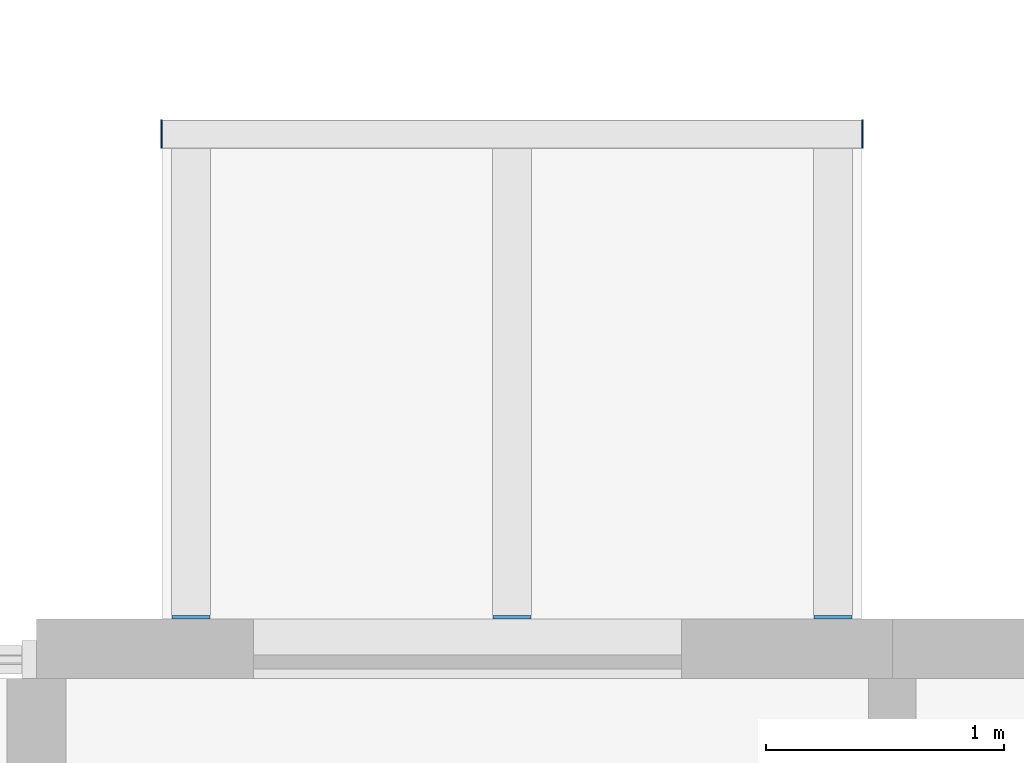
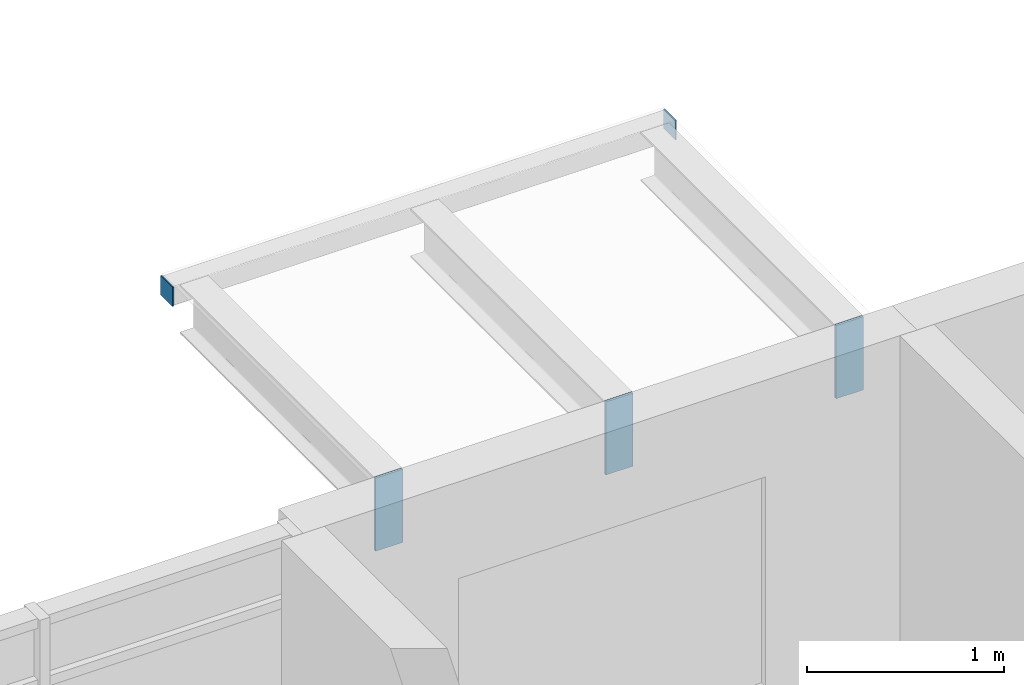
# One storey, part 46 of 64: 5 discrete accessories.
"""IFC4 building model written with IfcOpenShell, lengths in metres."""

import ifcopenshell
import ifcopenshell.guid

model = None  # the IFC model being written
_history = None  # IfcOwnerHistory: only IFC2X3 demands one
_inside = {}  # id of a spatial element -> (the spatial element, [elements in it])
_under = {}  # id of a project, library or spatial element -> (it, [spatial elements below it])
_declared = {}  # id of a project -> (the project, [libraries it declares])
_typed = {}  # id of a type object -> (the type object, [elements of that type])
_made_of = {}  # id of a material, layer set ... -> (it, [elements and type objects made of it])


def new_model(schema):
    """Start an empty IFC model of exactly this schema.

    Asked for "IFC4X3", IfcOpenShell would pick the latest addendum, in which some entities
    have other attributes; the version numbers below select the first issue.
    IFC2X3 requires an IfcOwnerHistory on every rooted entity: one is made here for all.
    """
    global model, _history
    if schema == "IFC4X3":
        model = ifcopenshell.file(schema_version=(4, 3, 0, 0))
    else:
        model = ifcopenshell.file(schema=schema)
    _inside.clear()
    _under.clear()
    _declared.clear()
    _typed.clear()
    _made_of.clear()
    _history = None
    if model.schema == "IFC2X3":
        org = make("IfcOrganization", Name="unknown")
        user = make(
            "IfcPersonAndOrganization",
            ThePerson=make("IfcPerson", FamilyName="unknown"),
            TheOrganization=org,
        )
        app = make(
            "IfcApplication",
            ApplicationDeveloper=org,
            Version="unknown",
            ApplicationFullName="unknown",
            ApplicationIdentifier="unknown",
        )
        _history = make(
            "IfcOwnerHistory",
            OwningUser=user,
            OwningApplication=app,
            ChangeAction="ADDED",
            CreationDate=0,
        )
    return model


def make(cls, **values):
    """One entity of the class cls with the attributes given. An attribute that is None is left unset."""
    return model.create_entity(
        cls, **{name: value for name, value in values.items() if value is not None}
    )


def rooted(cls, **values):
    """An entity with a GlobalId (a new one), such as an element, a storey or a relation."""
    return make(cls, GlobalId=ifcopenshell.guid.new(), OwnerHistory=_history, **values)


def si_unit(unit_type, name, prefix=None):
    """IfcSIUnit, for example si_unit("LENGTHUNIT", "METRE", prefix="MILLI")."""
    return make("IfcSIUnit", UnitType=unit_type, Prefix=prefix, Name=name)


def assignment(units):
    """IfcUnitAssignment: the units of a project."""
    return None if units is None else make("IfcUnitAssignment", Units=units)


def point(xyz):
    """IfcCartesianPoint."""
    return None if xyz is None else make("IfcCartesianPoint", Coordinates=xyz)


def direction(xyz):
    """IfcDirection."""
    return None if xyz is None else make("IfcDirection", DirectionRatios=xyz)


def frame(location, z_axis=None, x_axis=None):
    """IfcAxis2Placement3D, a coordinate frame: its origin and axes. An axis left out is left unset."""
    return make(
        "IfcAxis2Placement3D",
        Location=point(location),
        Axis=direction(z_axis),
        RefDirection=direction(x_axis),
    )


def frame_2d(location, x_axis=None):
    """IfcAxis2Placement2D, a coordinate frame in the plane: its origin and x axis."""
    return make(
        "IfcAxis2Placement2D", Location=point(location), RefDirection=direction(x_axis)
    )


def origin():
    """The frame at (0, 0, 0) with its axes left unset."""
    return frame((0.0, 0.0, 0.0))


def origin_2d():
    """The frame at (0, 0) in the plane with its x axis left unset."""
    return frame_2d((0.0, 0.0))


def place(relative_to, where):
    """IfcLocalPlacement: puts the frame where relative to a parent placement (None: the world)."""
    return make(
        "IfcLocalPlacement", PlacementRelTo=relative_to, RelativePlacement=where
    )


def context(
    kind, dimensions, precision=None, world=None, true_north=None, identifier=None
):
    """IfcGeometricRepresentationContext, for example the 3D "Model" context."""
    return make(
        "IfcGeometricRepresentationContext",
        ContextIdentifier=identifier,
        ContextType=kind,
        CoordinateSpaceDimension=dimensions,
        Precision=precision,
        WorldCoordinateSystem=world,
        TrueNorth=true_north,
    )


def subcontext(parent, identifier, kind, view, scale=None):
    """IfcGeometricRepresentationSubContext, for example "Body" below "Model"."""
    return make(
        "IfcGeometricRepresentationSubContext",
        ContextIdentifier=identifier,
        ContextType=kind,
        ParentContext=parent,
        TargetScale=scale,
        TargetView=view,
    )


def project(units=None, contexts=None):
    """IfcProject with its units and contexts."""
    return rooted(
        "IfcProject",
        Name="project",
        RepresentationContexts=contexts,
        UnitsInContext=assignment(units),
    )


def spatial(cls, under=None, at=None, **own):
    """A site, building, storey or space (cls), placed at a placement, below another one or the project."""
    s = rooted(cls, ObjectPlacement=at, **own)
    if under is not None:
        _under.setdefault(under.id(), (under, []))[1].append(s)
    return s


def profile(cls, at=None, kind="AREA", **sizes):
    """A parametric profile (cls). Its sizes go by their IFC names, for example OverallWidth=200.0."""
    return make(cls, ProfileType=kind, Position=at, **sizes)


def rectangle(**sizes):
    """IfcRectangleProfileDef."""
    return profile("IfcRectangleProfileDef", **sizes)


def extrude(swept, where, along, depth):
    """IfcExtrudedAreaSolid: the profile swept, set in the frame where, extruded along a direction by depth."""
    return make(
        "IfcExtrudedAreaSolid",
        SweptArea=swept,
        Position=where,
        ExtrudedDirection=direction(along),
        Depth=depth,
    )


def shape(context_of_items, identifier, shape_type, items):
    """IfcShapeRepresentation: the items that make up one representation, for example the "Body"."""
    return make(
        "IfcShapeRepresentation",
        ContextOfItems=context_of_items,
        RepresentationIdentifier=identifier,
        RepresentationType=shape_type,
        Items=items,
    )


def material(Name=None, Category=None):
    """IfcMaterial."""
    return make("IfcMaterial", Name=Name, Category=Category)


def layer(
    of_material, thickness, ventilated=None, Name=None, Category=None, Priority=None
):
    """IfcMaterialLayer: one layer of a wall or slab, of a material (None: an air gap)."""
    return make(
        "IfcMaterialLayer",
        Material=of_material,
        LayerThickness=thickness,
        IsVentilated=ventilated,
        Name=Name,
        Category=Category,
        Priority=Priority,
    )


def layer_set(layers, Name=None):
    """IfcMaterialLayerSet."""
    return make("IfcMaterialLayerSet", MaterialLayers=layers, LayerSetName=Name)


def made_of(thing, what):
    """Note that an element or type object is made of a material, layer set ...; save() writes the relation."""
    if what is not None:
        _made_of.setdefault(what.id(), (what, []))[1].append(thing)
    return thing


def type_object(cls, material=None, **own):
    """A type object (cls), such as IfcWallType, which elements share."""
    return made_of(rooted(cls, **own), material)


def element(
    cls,
    number,
    at=None,
    inside=None,
    cuts=None,
    type_object=None,
    material=None,
    context=None,
    identifier="Body",
    shape_type=None,
    held_by="IfcProductDefinitionShape",
    body=None,
    shapes=None,
    **own,
):
    """One element of the class cls, such as IfcWall. Its Tag is "e" and its number.

    at: its placement. inside: the storey or other place that contains it. cuts: it is an
    opening in that element (IfcRelVoidsElement). A single representation is given by context,
    identifier, shape_type and body (its items); several are given by shapes. held_by: the class
    of the entity that holds the representations. save() writes the other relations.
    """
    e = rooted(cls, Tag="e%d" % number, ObjectPlacement=at, **own)
    if body is not None:
        shapes = [shape(context, identifier, shape_type, body)]
    if shapes is not None:
        e.Representation = make(held_by, Representations=shapes)
    if inside is not None:
        _inside.setdefault(inside.id(), (inside, []))[1].append(e)
    if cuts is not None:
        rooted(
            "IfcRelVoidsElement", RelatingBuildingElement=cuts, RelatedOpeningElement=e
        )
    if type_object is not None:
        _typed.setdefault(type_object.id(), (type_object, []))[1].append(e)
    return made_of(e, material)


def aggregate(whole, parts):
    """IfcRelAggregates: a whole, such as a stair, and the parts it consists of."""
    return rooted("IfcRelAggregates", RelatingObject=whole, RelatedObjects=parts)


def save(model, path):
    """Write the relations noted so far, then the file.

    IfcRelAggregates (storeys below a building ...), IfcRelContainedInSpatialStructure (elements
    in a storey), IfcRelDefinesByType, IfcRelAssociatesMaterial and IfcRelDeclares: one each for
    every whole, place, type object, material and project.
    """
    for whole, parts in _under.values():
        aggregate(whole, parts)
    for where, things in _inside.values():
        rooted(
            "IfcRelContainedInSpatialStructure",
            RelatedElements=things,
            RelatingStructure=where,
        )
    for kind, things in _typed.values():
        rooted("IfcRelDefinesByType", RelatedObjects=things, RelatingType=kind)
    for what, things in _made_of.values():
        rooted("IfcRelAssociatesMaterial", RelatedObjects=things, RelatingMaterial=what)
    for by, libraries in _declared.values():
        rooted("IfcRelDeclares", RelatingContext=by, RelatedDefinitions=libraries)
    model.write(path)


model = new_model("IFC4")

# Units and contexts
model_context = context("Model", 3, precision=1e-05, world=origin(), true_north=direction((0.0, 1.0)))
body_context = subcontext(model_context, "Body", "Model", "MODEL_VIEW")
ifc_project = project(units=[si_unit("LENGTHUNIT", "METRE"), si_unit("AREAUNIT", "SQUARE_METRE"), si_unit("VOLUMEUNIT", "CUBIC_METRE"), si_unit("PLANEANGLEUNIT", "RADIAN"), si_unit("MASSUNIT", "GRAM", prefix="KILO")], contexts=[model_context])

# Site, building, storey
site_placement = place(None, origin())
site = spatial("IfcSite", under=ifc_project, at=site_placement, CompositionType="ELEMENT")
building_placement = place(site_placement, origin())
building = spatial("IfcBuilding", under=site, at=building_placement, Name="Ridgestep Commons", CompositionType="ELEMENT")
storey_placement = place(building_placement, frame((0.0, 0.0, 33.0)))
storey = spatial("IfcBuildingStorey", under=building, at=storey_placement, Name="L11", CompositionType="ELEMENT", Elevation=33.0)

# Discrete accessories
ifc_material_1 = material(Name="Weathering steel S355J2W", Category="steel")
ifc_layer_1 = layer(ifc_material_1, 0.014892578125)
ifc_layer_set_1 = layer_set([ifc_layer_1], Name="Tray bracket plate 15")
discrete_accessory_type_1 = type_object("IfcDiscreteAccessoryType", Name="Tray bracket plate 15", PredefinedType="BRACKET", material=ifc_layer_set_1)
for number, where, z_axis, x_axis, name in (
    (1, (220.64990234375, 23.007568359375, 2.53662109375), (0.0, 0.0, 1.0), (1.0, 0.0, 0.0), "Tray bracket D5T3-12.1"),
    (2, (222.0, 23.007568359375, 2.53662109375), (0.0, 0.0, 1.0), (1.0, 0.0, 0.0), "Tray bracket D5T3-12.2"),
    (3, (223.35009765625, 23.007568359375, 2.53662109375), (0.0, 0.0, 1.0), (1.0, 0.0, 0.0), "Tray bracket D5T3-12.3"),
):
    element("IfcDiscreteAccessory", number, at=place(storey_placement, frame(where, z_axis=z_axis, x_axis=x_axis)), inside=storey, type_object=discrete_accessory_type_1, Name=name, PredefinedType="BRACKET", context=body_context, shape_type="SweptSolid", body=[
        extrude(rectangle(XDim=0.159912109375, YDim=0.014892578125, at=origin_2d()), origin(), (0.0, 0.0, 1.0), 0.453369140625),
    ])
ifc_material_2 = material(Name="Weathering steel S355J2W", Category="steel")
ifc_layer_2 = layer(ifc_material_2, 0.008056640625)
ifc_layer_set_2 = layer_set([ifc_layer_2], Name="Tray edge member end plate 120 x 120 x 8")
discrete_accessory_type_2 = type_object("IfcDiscreteAccessoryType", Name="Tray edge member end plate 120 x 120 x 8", PredefinedType="BRACKET", material=ifc_layer_set_2)
for number, where, z_axis, x_axis, name in (
    (4, (220.52587890625, 25.0400390625, 2.869873046875), (0.0, 0.0, 1.0), (1.0, 0.0, 0.0), "Tray edge member end plate D5T3-12 west"),
    (5, (223.47412109375, 25.0400390625, 2.869873046875), (0.0, 0.0, 1.0), (1.0, 0.0, 0.0), "Tray edge member end plate D5T3-12 east"),
):
    element("IfcDiscreteAccessory", number, at=place(storey_placement, frame(where, z_axis=z_axis, x_axis=x_axis)), inside=storey, type_object=discrete_accessory_type_2, Name=name, PredefinedType="BRACKET", context=body_context, shape_type="SweptSolid", body=[
        extrude(rectangle(XDim=0.008056640625, YDim=0.1201171875, at=origin_2d()), origin(), (0.0, 0.0, 1.0), 0.1201171875),
    ])

save(model, "model.ifc")
